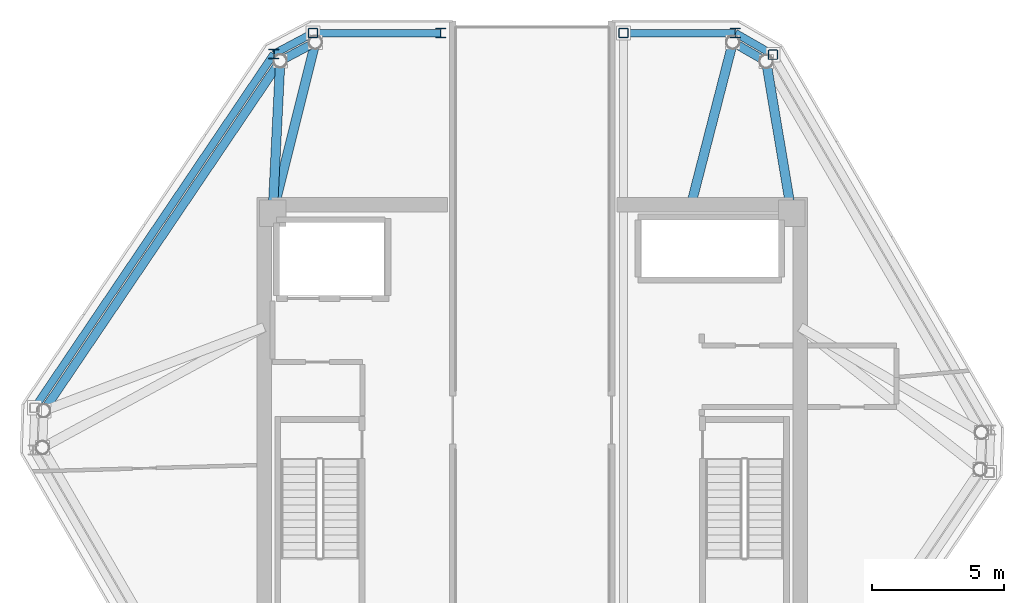
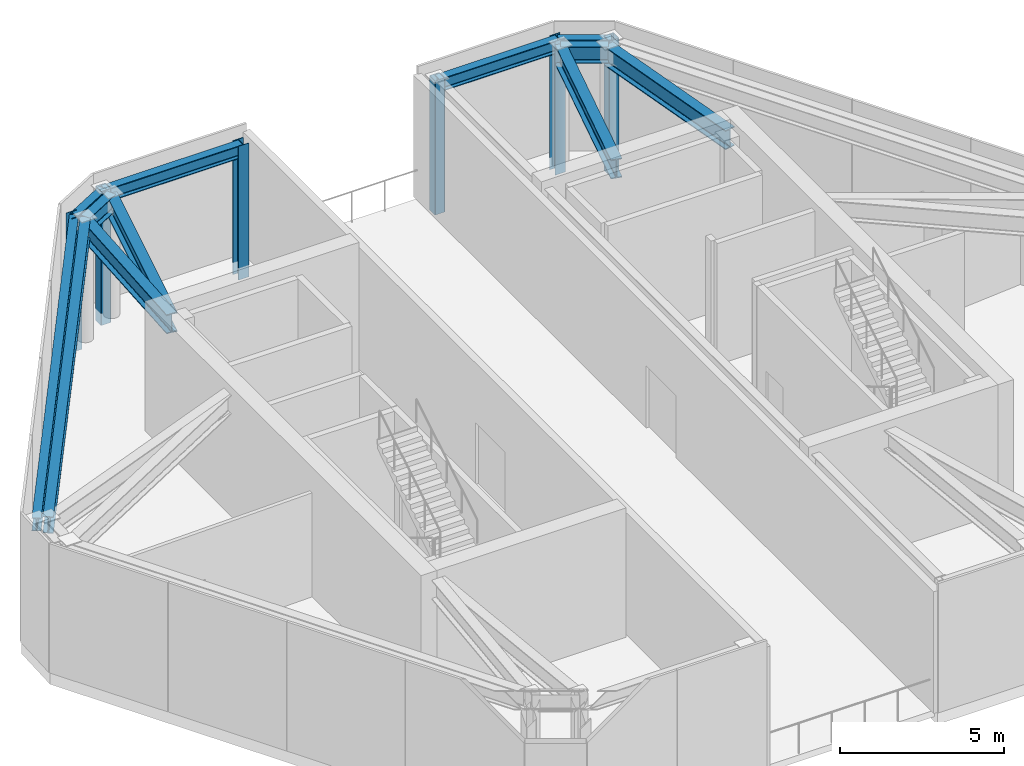
# One storey, part 4 of 8: 12 beams, 6 members.
"""IFC4 building model written with IfcOpenShell, lengths in metres."""

from ifc_helpers import new_model, si_unit, direction, frame, origin, origin_2d, place, context, subcontext, project, spatial, hollow_rectangle, i_section, extrude, source, transform, mapped, material, material_profile, profile_set, type_object, type_shapes, element, save


model = new_model("IFC4")

# Units and contexts
model_context = context("Model", 3, precision=1e-05, world=origin(), true_north=direction((0.0, 1.0)))
body_context = subcontext(model_context, "Body", "Model", "MODEL_VIEW")
ifc_project = project(units=[si_unit("LENGTHUNIT", "METRE"), si_unit("AREAUNIT", "SQUARE_METRE"), si_unit("VOLUMEUNIT", "CUBIC_METRE"), si_unit("PLANEANGLEUNIT", "RADIAN"), si_unit("MASSUNIT", "GRAM", prefix="KILO")], contexts=[model_context])

# Site, building, storey
site_placement = place(None, origin())
site = spatial("IfcSite", under=ifc_project, at=site_placement, CompositionType="ELEMENT")
building_placement = place(site_placement, origin())
building = spatial("IfcBuilding", under=site, at=building_placement, Name="Durnholm Broadcast Tower", CompositionType="ELEMENT")
storey_placement = place(building_placement, frame((0.0, 0.0, 272.5)))
storey = spatial("IfcBuildingStorey", under=building, at=storey_placement, Name="L76", CompositionType="ELEMENT", Elevation=272.5)

# Beams
ifc_material_1 = material(Name="Steel ASTM A992 Grade 50", Category="steel")
ifc_material_profile_1 = material_profile(ifc_material_1, i_section(OverallWidth=0.3251953125, OverallDepth=0.6162109375, WebThickness=0.013916015625, FlangeThickness=0.021484375, FilletRadius=0.02783203125, at=origin_2d()), Name="W24X117")
ifc_profile_set_1 = profile_set([ifc_material_profile_1], Name="Steel ASTM A992 Grade 50")
beam_type_1 = type_object("IfcBeamType", Name="STL-SP-W24X117", PredefinedType="SPANDREL", material=ifc_profile_set_1)
shared_shape_1 = source(origin(), body_context, "Body", "SweptSolid", [
    extrude(i_section(OverallWidth=0.3251953125, OverallDepth=0.6162109375, WebThickness=0.013916015625, FlangeThickness=0.021484375, FilletRadius=0.02783203125, at=origin_2d()), origin(), (0.0, 0.0, 1.0), 15.947265625),
])
beam_1_placement = place(storey_placement, frame((-18.4462890625, 0.345947265625, 4.197021484375), z_axis=(0.560062212489, 0.828450552623, 0.0), x_axis=(-0.828450552623, 0.560062212489, 0.0)))
element("IfcBeam", 1, at=beam_1_placement, inside=storey, type_object=beam_type_1, Name="L76 perimeter spandrel girder 03", PredefinedType="SPANDREL", context=body_context, shape_type="MappedRepresentation", body=[
    mapped(shared_shape_1, transform((0.0, 0.0, 0.0), x_axis=(1.0, 0.0, 0.0), y_axis=(0.0, 1.0, 0.0), z_axis=(0.0, 0.0, 1.0), scale=1.0)),
])
shared_shape_2 = source(origin(), body_context, "Body", "SweptSolid", [
    extrude(i_section(OverallWidth=0.3251953125, OverallDepth=0.6162109375, WebThickness=0.013916015625, FlangeThickness=0.021484375, FilletRadius=0.02783203125, at=origin_2d()), origin(), (0.0, 0.0, 1.0), 1.502685546875),
])
beam_2_placement = place(storey_placement, frame((-9.514892578125, 13.557373046875, 4.197021484375), z_axis=(0.883241909673, 0.468917614296, 0.0), x_axis=(-0.468917614296, 0.883241909673, 0.0)))
element("IfcBeam", 2, at=beam_2_placement, inside=storey, type_object=beam_type_1, Name="L76 perimeter spandrel girder 04", PredefinedType="SPANDREL", context=body_context, shape_type="MappedRepresentation", body=[
    mapped(shared_shape_2, transform((0.0, 0.0, 0.0), x_axis=(1.0, 0.0, 0.0), y_axis=(0.0, 1.0, 0.0), z_axis=(0.0, 0.0, 1.0), scale=1.0)),
])
shared_shape_3 = source(origin(), body_context, "Body", "SweptSolid", [
    extrude(i_section(OverallWidth=0.3251953125, OverallDepth=0.6162109375, WebThickness=0.013916015625, FlangeThickness=0.021484375, FilletRadius=0.02783203125, at=origin_2d()), origin(), (0.0, 0.0, 1.0), 1.451416015625),
])
type_shapes(beam_type_1, [shared_shape_1, shared_shape_2, shared_shape_3])
beam_3_placement = place(storey_placement, frame((7.57958984375, 14.261962890625, 4.197021484375), z_axis=(0.866571760088, -0.499052486836, 0.0), x_axis=(0.499052486836, 0.866571760088, 0.0)))
element("IfcBeam", 3, at=beam_3_placement, inside=storey, type_object=beam_type_1, Name="L76 perimeter spandrel girder 06", PredefinedType="SPANDREL", context=body_context, shape_type="MappedRepresentation", body=[
    mapped(shared_shape_3, transform((0.0, 0.0, 0.0), x_axis=(1.0, 0.0, 0.0), y_axis=(0.0, 1.0, 0.0), z_axis=(0.0, 0.0, 1.0), scale=1.0)),
])
ifc_material_profile_2 = material_profile(ifc_material_1, i_section(OverallWidth=0.3564453125, OverallDepth=0.713623046875, WebThickness=0.01904296875, FlangeThickness=0.033935546875, FilletRadius=0.030517578125, at=origin_2d()), Name="W27X194")
ifc_profile_set_2 = profile_set([ifc_material_profile_2], Name="Steel ASTM A992 Grade 50")
beam_type_2 = type_object("IfcBeamType", Name="STL-GR-W27X194", PredefinedType="USERDEFINED", material=ifc_profile_set_2)
shared_shape_4 = source(origin(), body_context, "Body", "SweptSolid", [
    extrude(i_section(OverallWidth=0.3564453125, OverallDepth=0.713623046875, WebThickness=0.01904296875, FlangeThickness=0.033935546875, FilletRadius=0.030517578125, at=origin_2d()), origin(), (0.0, 0.0, 1.0), 5.764404296875),
])
beam_4_placement = place(storey_placement, frame((-9.800048828125, 7.800048828125, 4.148193359375), z_axis=(0.049468662109, 0.99877567625, 0.0), x_axis=(-0.99877567625, 0.049468662109, 0.0)))
element("IfcBeam", 4, at=beam_4_placement, inside=storey, type_object=beam_type_2, Name="L76 radial primary floor girder 04", ObjectType="GIRDER", PredefinedType="USERDEFINED", context=body_context, shape_type="MappedRepresentation", body=[
    mapped(shared_shape_4, transform((0.0, 0.0, 0.0), x_axis=(1.0, 0.0, 0.0), y_axis=(0.0, 1.0, 0.0), z_axis=(0.0, 0.0, 1.0), scale=1.0)),
])
shared_shape_5 = source(origin(), body_context, "Body", "SweptSolid", [
    extrude(i_section(OverallWidth=0.3564453125, OverallDepth=0.713623046875, WebThickness=0.01904296875, FlangeThickness=0.033935546875, FilletRadius=0.030517578125, at=origin_2d()), origin(), (0.0, 0.0, 1.0), 6.659912109375),
])
beam_5_placement = place(storey_placement, frame((-9.800048828125, 7.800048828125, 4.148193359375), z_axis=(0.242087082058, 0.97025452573, 0.0), x_axis=(-0.97025452573, 0.242087082058, 0.0)))
element("IfcBeam", 5, at=beam_5_placement, inside=storey, type_object=beam_type_2, Name="L76 radial primary floor girder 05", ObjectType="GIRDER", PredefinedType="USERDEFINED", context=body_context, shape_type="MappedRepresentation", body=[
    mapped(shared_shape_5, transform((0.0, 0.0, 0.0), x_axis=(1.0, 0.0, 0.0), y_axis=(0.0, 1.0, 0.0), z_axis=(0.0, 0.0, 1.0), scale=1.0)),
])
shared_shape_6 = source(origin(), body_context, "Body", "SweptSolid", [
    extrude(i_section(OverallWidth=0.3564453125, OverallDepth=0.713623046875, WebThickness=0.01904296875, FlangeThickness=0.033935546875, FilletRadius=0.030517578125, at=origin_2d()), origin(), (0.0, 0.0, 1.0), 6.3369140625),
])
beam_6_placement = place(storey_placement, frame((6.0, 8.125, 4.148193359375), z_axis=(0.249265081504, 0.968435294247, 0.0), x_axis=(-0.968435294247, 0.249265081504, 0.0)))
element("IfcBeam", 6, at=beam_6_placement, inside=storey, type_object=beam_type_2, Name="L76 radial primary floor girder 06", ObjectType="GIRDER", PredefinedType="USERDEFINED", context=body_context, shape_type="MappedRepresentation", body=[
    mapped(shared_shape_6, transform((0.0, 0.0, 0.0), x_axis=(1.0, 0.0, 0.0), y_axis=(0.0, 1.0, 0.0), z_axis=(0.0, 0.0, 1.0), scale=1.0)),
])
shared_shape_7 = source(origin(), body_context, "Body", "SweptSolid", [
    extrude(i_section(OverallWidth=0.3564453125, OverallDepth=0.713623046875, WebThickness=0.01904296875, FlangeThickness=0.033935546875, FilletRadius=0.030517578125, at=origin_2d()), origin(), (0.0, 0.0, 1.0), 5.817626953125),
])
type_shapes(beam_type_2, [shared_shape_4, shared_shape_5, shared_shape_6, shared_shape_7])
beam_7_placement = place(storey_placement, frame((9.800048828125, 7.800048828125, 4.148193359375), z_axis=(-0.16546729255, 0.986215278271, 0.0), x_axis=(-0.986215278271, -0.16546729255, 0.0)))
element("IfcBeam", 7, at=beam_7_placement, inside=storey, type_object=beam_type_2, Name="L76 radial primary floor girder 07", ObjectType="GIRDER", PredefinedType="USERDEFINED", context=body_context, shape_type="MappedRepresentation", body=[
    mapped(shared_shape_7, transform((0.0, 0.0, 0.0), x_axis=(1.0, 0.0, 0.0), y_axis=(0.0, 1.0, 0.0), z_axis=(0.0, 0.0, 1.0), scale=1.0)),
])

# Members
ifc_material_2 = material(Name="Steel ASTM A500 Grade C", Category="steel")
ifc_material_profile_3 = material_profile(ifc_material_2, hollow_rectangle(XDim=0.355712890625, YDim=0.355712890625, WallThickness=0.01171875, InnerFilletRadius=0.017578125, OuterFilletRadius=0.029541015625, at=origin_2d()), Name="HSS14X14X1/2")
ifc_profile_set_3 = profile_set([ifc_material_profile_3], Name="Steel ASTM A500 Grade C")
member_type_1 = type_object("IfcMemberType", Name="STL-CF-HSS14X14", PredefinedType="USERDEFINED", material=ifc_profile_set_3)
shared_shape_8 = source(origin(), body_context, "Body", "SweptSolid", [
    extrude(hollow_rectangle(XDim=0.355712890625, YDim=0.355712890625, WallThickness=0.01171875, InnerFilletRadius=0.017578125, OuterFilletRadius=0.029541015625, at=origin_2d()), origin(), (0.0, 0.0, 1.0), 4.969970703125),
])
type_shapes(member_type_1, [shared_shape_8])
for number, where, z_axis, x_axis, name in (
    (8, (-8.27490234375, 14.612060546875, -0.449951171875), (0.0, 0.0, 1.0), (1.0, 0.0, 0.0), "L76 W split-crown frame post 5"),
    (9, (3.449951171875, 14.612060546875, -0.449951171875), (0.0, 0.0, 1.0), (1.0, 0.0, 0.0), "L76 E split-crown frame post 1"),
    (10, (9.09326171875, 13.794189453125, -0.449951171875), (0.0, 0.0, 1.0), (1.0, 0.0, 0.0), "L76 E split-crown frame post 7"),
):
    element("IfcMember", number, at=place(storey_placement, frame(where, z_axis=z_axis, x_axis=x_axis)), inside=storey, type_object=member_type_1, Name=name, ObjectType="CROWN FRAME", PredefinedType="USERDEFINED", context=body_context, shape_type="MappedRepresentation", body=[
        mapped(shared_shape_8, transform((0.0, 0.0, 0.0), x_axis=(1.0, 0.0, 0.0), y_axis=(0.0, 1.0, 0.0), z_axis=(0.0, 0.0, 1.0), scale=1.0)),
    ])
ifc_material_profile_4 = material_profile(ifc_material_1, i_section(OverallWidth=0.368896484375, OverallDepth=0.356201171875, WebThickness=0.01123046875, FlangeThickness=0.01806640625, FilletRadius=0.030517578125, at=origin_2d()), Name="W14X90")
ifc_profile_set_4 = profile_set([ifc_material_profile_4], Name="Steel ASTM A992 Grade 50")
member_type_2 = type_object("IfcMemberType", Name="STL-CF-W14X90", PredefinedType="USERDEFINED", material=ifc_profile_set_4)
shared_shape_9 = source(origin(), body_context, "Body", "SweptSolid", [
    extrude(i_section(OverallWidth=0.368896484375, OverallDepth=0.356201171875, WebThickness=0.01123046875, FlangeThickness=0.01806640625, FilletRadius=0.030517578125, at=origin_2d()), origin(), (0.0, 0.0, 1.0), 4.969970703125),
])
type_shapes(member_type_2, [shared_shape_9])
for number, where, z_axis, x_axis, name in (
    (11, (-3.449951171875, 14.612060546875, -0.449951171875), (0.0, 0.0, 1.0), (1.0, 0.0, 0.0), "L76 W split-crown frame post 4"),
    (12, (-9.756103515625, 13.825439453125, -0.449951171875), (0.0, 0.0, 1.0), (1.0, 0.0, 0.0), "L76 W split-crown frame post 6"),
    (13, (7.67333984375, 14.612060546875, -0.449951171875), (0.0, 0.0, 1.0), (1.0, 0.0, 0.0), "L76 E split-crown frame post 8"),
):
    element("IfcMember", number, at=place(storey_placement, frame(where, z_axis=z_axis, x_axis=x_axis)), inside=storey, type_object=member_type_2, Name=name, ObjectType="CROWN FRAME", PredefinedType="USERDEFINED", context=body_context, shape_type="MappedRepresentation", body=[
        mapped(shared_shape_9, transform((0.0, 0.0, 0.0), x_axis=(1.0, 0.0, 0.0), y_axis=(0.0, 1.0, 0.0), z_axis=(0.0, 0.0, 1.0), scale=1.0)),
    ])

# Beams
ifc_material_profile_5 = material_profile(ifc_material_1, i_section(OverallWidth=0.2861328125, OverallDepth=0.481689453125, WebThickness=0.0166015625, FlangeThickness=0.02685546875, FilletRadius=0.02294921875, at=origin_2d()), Name="W18X119")
ifc_profile_set_5 = profile_set([ifc_material_profile_5], Name="Steel ASTM A992 Grade 50")
beam_type_3 = type_object("IfcBeamType", Name="STL-BM-W18X119", PredefinedType="BEAM", material=ifc_profile_set_5)
shared_shape_10 = source(origin(), body_context, "Body", "SweptSolid", [
    extrude(i_section(OverallWidth=0.2861328125, OverallDepth=0.481689453125, WebThickness=0.0166015625, FlangeThickness=0.02685546875, FilletRadius=0.02294921875, at=origin_2d()), origin(), (0.0, 0.0, 1.0), 4.824951171875),
])
beam_8_placement = place(storey_placement, frame((-3.449951171875, 14.612060546875, 4.26416015625), z_axis=(-1.0, 0.0, 0.0), x_axis=(0.0, -1.0, 0.0)))
element("IfcBeam", 14, at=beam_8_placement, inside=storey, type_object=beam_type_3, Name="L76 W split-crown frame ring beam 4", PredefinedType="SPANDREL", context=body_context, shape_type="MappedRepresentation", body=[
    mapped(shared_shape_10, transform((0.0, 0.0, 0.0), x_axis=(1.0, 0.0, 0.0), y_axis=(0.0, 1.0, 0.0), z_axis=(0.0, 0.0, 1.0), scale=1.0)),
])
shared_shape_11 = source(origin(), body_context, "Body", "SweptSolid", [
    extrude(i_section(OverallWidth=0.2861328125, OverallDepth=0.481689453125, WebThickness=0.0166015625, FlangeThickness=0.02685546875, FilletRadius=0.02294921875, at=origin_2d()), origin(), (0.0, 0.0, 1.0), 1.677001953125),
])
beam_9_placement = place(storey_placement, frame((-8.27490234375, 14.612060546875, 4.26416015625), z_axis=(-0.883181677965, -0.469031047701, 0.0), x_axis=(0.469031047701, -0.883181677965, 0.0)))
element("IfcBeam", 15, at=beam_9_placement, inside=storey, type_object=beam_type_3, Name="L76 W split-crown frame ring beam 5", PredefinedType="SPANDREL", context=body_context, shape_type="MappedRepresentation", body=[
    mapped(shared_shape_11, transform((0.0, 0.0, 0.0), x_axis=(1.0, 0.0, 0.0), y_axis=(0.0, 1.0, 0.0), z_axis=(0.0, 0.0, 1.0), scale=1.0)),
])
shared_shape_12 = source(origin(), body_context, "Body", "SweptSolid", [
    extrude(i_section(OverallWidth=0.2861328125, OverallDepth=0.481689453125, WebThickness=0.0166015625, FlangeThickness=0.02685546875, FilletRadius=0.02294921875, at=origin_2d()), origin(), (0.0, 0.0, 1.0), 16.135009765625),
])
beam_10_placement = place(storey_placement, frame((-9.756103515625, 13.825439453125, 4.26416015625), z_axis=(-0.560066005193, -0.828447988607, 0.0), x_axis=(0.828447988607, -0.560066005193, 0.0)))
element("IfcBeam", 16, at=beam_10_placement, inside=storey, type_object=beam_type_3, Name="L76 W split-crown frame ring beam 6", PredefinedType="SPANDREL", context=body_context, shape_type="MappedRepresentation", body=[
    mapped(shared_shape_12, transform((0.0, 0.0, 0.0), x_axis=(1.0, 0.0, 0.0), y_axis=(0.0, 1.0, 0.0), z_axis=(0.0, 0.0, 1.0), scale=1.0)),
])
shared_shape_13 = source(origin(), body_context, "Body", "SweptSolid", [
    extrude(i_section(OverallWidth=0.2861328125, OverallDepth=0.481689453125, WebThickness=0.0166015625, FlangeThickness=0.02685546875, FilletRadius=0.02294921875, at=origin_2d()), origin(), (0.0, 0.0, 1.0), 1.638671875),
])
beam_11_placement = place(storey_placement, frame((9.09326171875, 13.794189453125, 4.26416015625), z_axis=(-0.866532637126, 0.499120415126, 0.0), x_axis=(-0.499120415126, -0.866532637126, 0.0)))
element("IfcBeam", 17, at=beam_11_placement, inside=storey, type_object=beam_type_3, Name="L76 E split-crown frame ring beam 7", PredefinedType="SPANDREL", context=body_context, shape_type="MappedRepresentation", body=[
    mapped(shared_shape_13, transform((0.0, 0.0, 0.0), x_axis=(1.0, 0.0, 0.0), y_axis=(0.0, 1.0, 0.0), z_axis=(0.0, 0.0, 1.0), scale=1.0)),
])
shared_shape_14 = source(origin(), body_context, "Body", "SweptSolid", [
    extrude(i_section(OverallWidth=0.2861328125, OverallDepth=0.481689453125, WebThickness=0.0166015625, FlangeThickness=0.02685546875, FilletRadius=0.02294921875, at=origin_2d()), origin(), (0.0, 0.0, 1.0), 4.223388671875),
])
type_shapes(beam_type_3, [shared_shape_10, shared_shape_11, shared_shape_12, shared_shape_13, shared_shape_14])
beam_12_placement = place(storey_placement, frame((7.67333984375, 14.612060546875, 4.26416015625), z_axis=(-1.0, 0.0, 0.0), x_axis=(0.0, -1.0, 0.0)))
element("IfcBeam", 18, at=beam_12_placement, inside=storey, type_object=beam_type_3, Name="L76 E split-crown frame ring beam 8", PredefinedType="SPANDREL", context=body_context, shape_type="MappedRepresentation", body=[
    mapped(shared_shape_14, transform((0.0, 0.0, 0.0), x_axis=(1.0, 0.0, 0.0), y_axis=(0.0, 1.0, 0.0), z_axis=(0.0, 0.0, 1.0), scale=1.0)),
])

save(model, "model.ifc")
